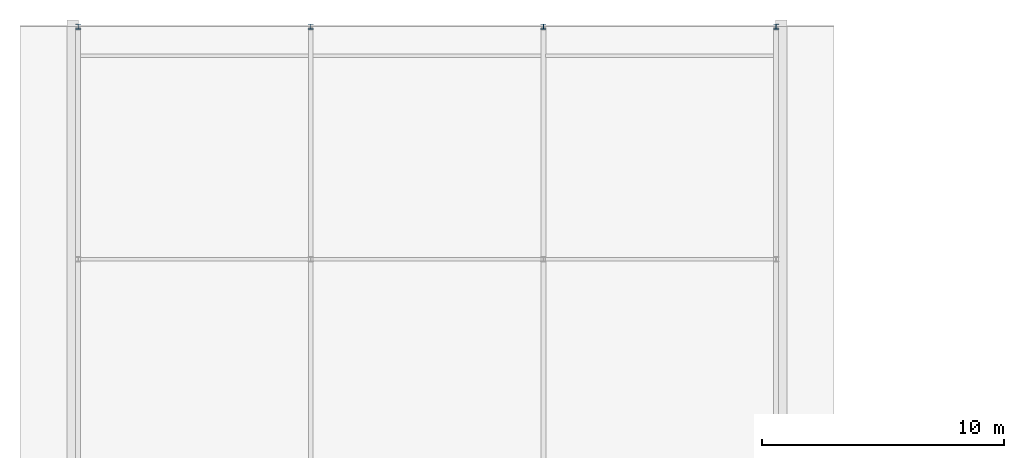
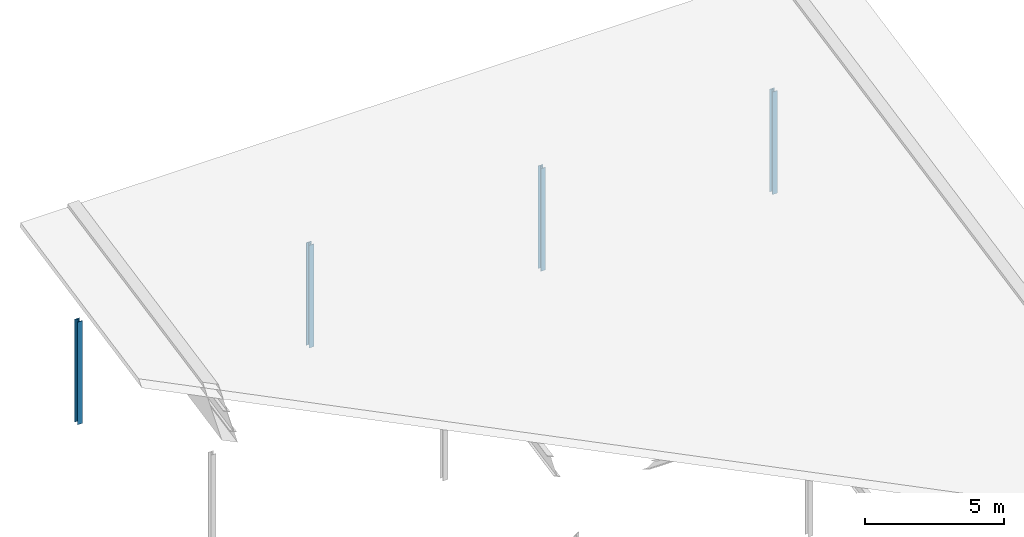
# One storey, part 10 of 59: 4 columns.
"""IFC4 building model written with IfcOpenShell, lengths in metres."""

from ifc_helpers import new_model, si_unit, direction, frame, origin, origin_2d, place, context, subcontext, project, spatial, i_section, extrude, material, material_profile, profile_set, type_object, element, save


model = new_model("IFC4")

# Units and contexts
model_context = context("Model", 3, precision=1e-05, world=origin(), true_north=direction((0.0, 1.0)))
body_context = subcontext(model_context, "Body", "Model", "MODEL_VIEW")
ifc_project = project(units=[si_unit("LENGTHUNIT", "METRE"), si_unit("AREAUNIT", "SQUARE_METRE"), si_unit("VOLUMEUNIT", "CUBIC_METRE"), si_unit("PLANEANGLEUNIT", "RADIAN"), si_unit("MASSUNIT", "GRAM", prefix="KILO")], contexts=[model_context])

# Site, building, storey
site_placement = place(None, origin())
site = spatial("IfcSite", under=ifc_project, at=site_placement, CompositionType="ELEMENT")
building_placement = place(site_placement, origin())
building = spatial("IfcBuilding", under=site, at=building_placement, Name="Dunescarp Central Library", CompositionType="ELEMENT")
storey_placement = place(building_placement, frame((0.0, 0.0, 18.60009765625)))
storey = spatial("IfcBuildingStorey", under=building, at=storey_placement, Name="L04", CompositionType="ELEMENT", Elevation=18.60009765625)

# Columns
ifc_material = material(Name="Steel S355JR", Category="steel")
ifc_material_profile = material_profile(ifc_material, i_section(OverallWidth=0.206298828125, OverallDepth=0.2158203125, WebThickness=0.010009765625, FlangeThickness=0.017333984375, at=origin_2d()), Name="UC 203x203x71")
ifc_profile_set = profile_set([ifc_material_profile], Name="Steel S355JR")
column_type = type_object("IfcColumnType", Name="STR-COL-UC203X71", PredefinedType="COLUMN", material=ifc_profile_set)
for number, where, z_axis, x_axis, name in (
    (1, (0.0, 89.60009765625, 0.0), (0.0, 0.0, 1.0), (1.0, 0.0, 0.0), "L04 column V4M-0-896"),
    (2, (9.60009765625, 89.60009765625, 0.0), (0.0, 0.0, 1.0), (1.0, 0.0, 0.0), "L04 column V4M-96-896"),
    (3, (19.199951171875, 89.60009765625, 0.0), (0.0, 0.0, 1.0), (1.0, 0.0, 0.0), "L04 column V4M-192-896"),
    (4, (28.800048828125, 89.60009765625, 0.0), (0.0, 0.0, 1.0), (1.0, 0.0, 0.0), "L04 column V4M-288-896"),
):
    element("IfcColumn", number, at=place(storey_placement, frame(where, z_axis=z_axis, x_axis=x_axis)), inside=storey, type_object=column_type, Name=name, PredefinedType="COLUMN", context=body_context, shape_type="SweptSolid", body=[
        extrude(i_section(OverallWidth=0.206298828125, OverallDepth=0.2158203125, WebThickness=0.010009765625, FlangeThickness=0.017333984375, at=origin_2d()), origin(), (0.0, 0.0, 1.0), 4.5),
    ])

save(model, "model.ifc")
